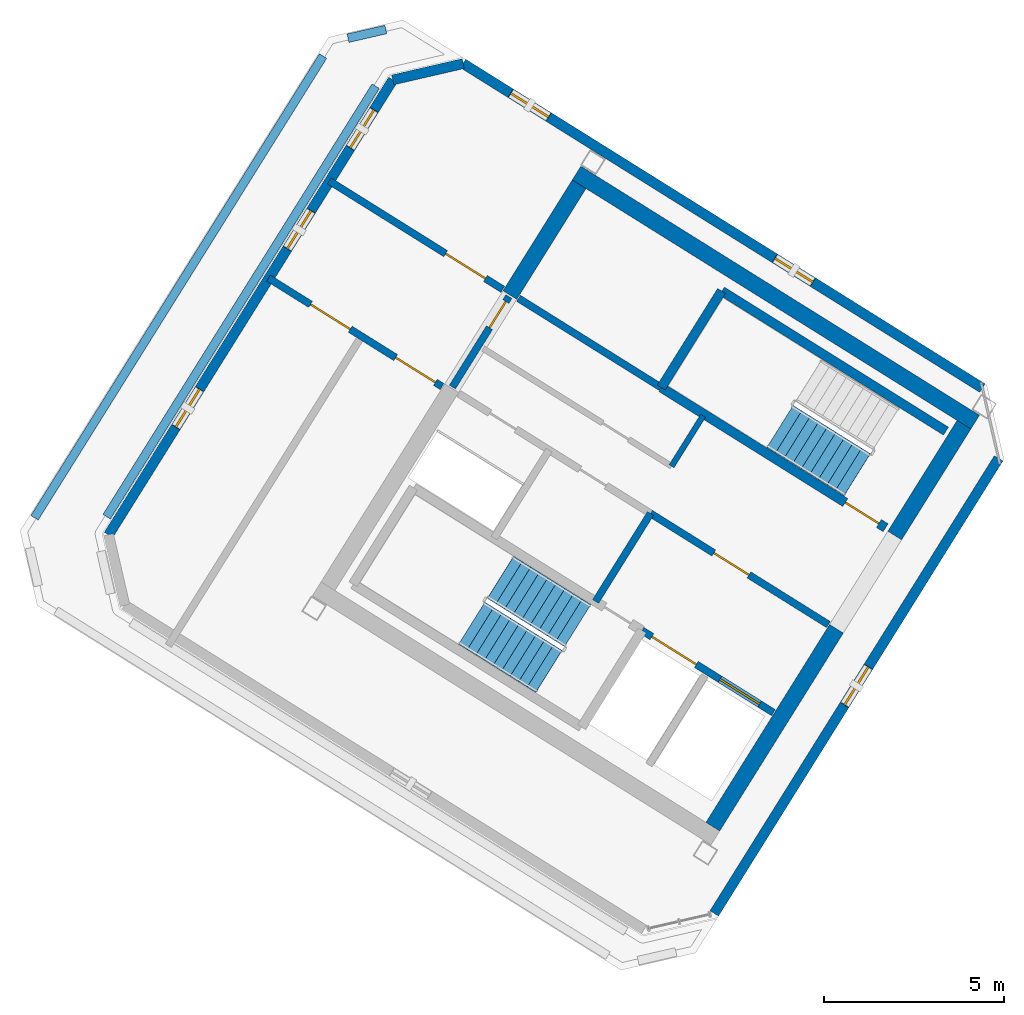
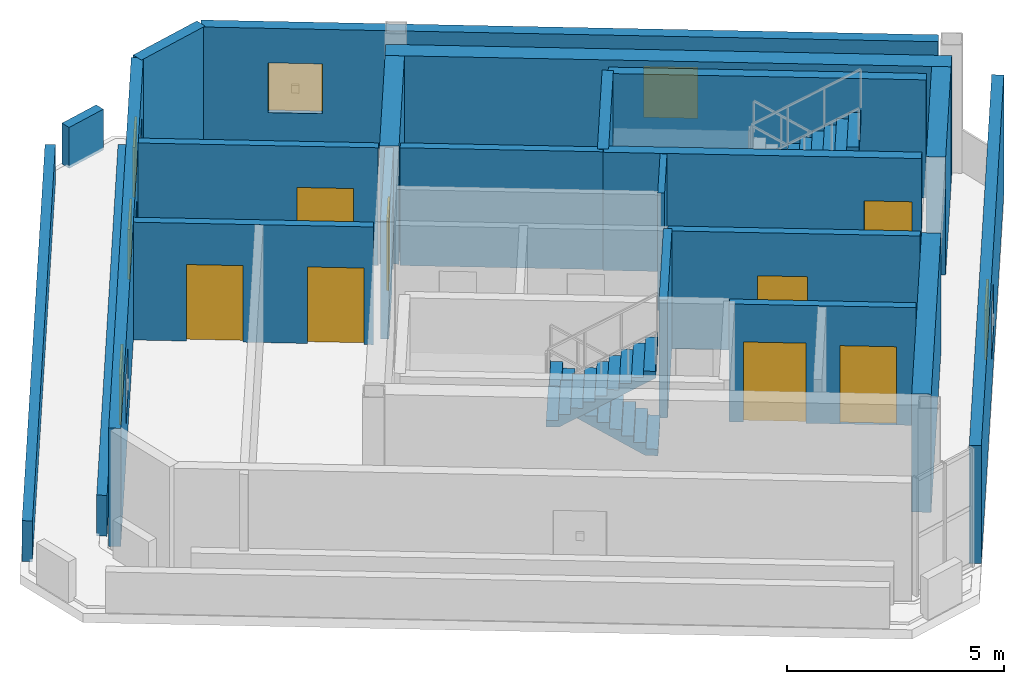
# One storey, part 4 of 7: 22 walls, 8 doors, 6 windows, 3 stair flights, 14 openings, 2 elements without a shape of their own.
"""IFC4 building model written with IfcOpenShell, lengths in metres."""

from ifc_helpers import new_model, si_unit, direction, frame, frame_2d, origin, place, context, subcontext, project, spatial, polyline, rectangle, outline, extrude, source, transform, mapped, material, layer, layer_set, type_object, element, fill, aggregate, save


model = new_model("IFC4")

# Units and contexts
model_context = context("Model", 3, precision=1e-05, world=origin(), true_north=direction((0.0, 1.0)))
body_context = subcontext(model_context, "Body", "Model", "MODEL_VIEW")
ifc_project = project(units=[si_unit("LENGTHUNIT", "METRE"), si_unit("AREAUNIT", "SQUARE_METRE"), si_unit("VOLUMEUNIT", "CUBIC_METRE"), si_unit("PLANEANGLEUNIT", "RADIAN"), si_unit("MASSUNIT", "GRAM", prefix="KILO")], contexts=[model_context])

# Site, building, storey
site_placement = place(None, origin())
site = spatial("IfcSite", under=ifc_project, at=site_placement, CompositionType="ELEMENT")
building_placement = place(site_placement, origin())
building = spatial("IfcBuilding", under=site, at=building_placement, Name="Tlacorven Tower", CompositionType="ELEMENT")
storey_placement = place(building_placement, frame((0.0, 0.0, 309.60009765625)))
storey = spatial("IfcBuildingStorey", under=building, at=storey_placement, Name="L79", CompositionType="ELEMENT", Elevation=309.60009765625)

# Walls
ifc_material_1 = material(Name="Concrete C50/60", Category="concrete")
ifc_layer_1 = layer(ifc_material_1, 0.449951171875)
ifc_layer_set_1 = layer_set([ifc_layer_1], Name="Concrete C50/60")
wall_type_1 = type_object("IfcWallType", Name="WL-COR-450", PredefinedType="SHEAR", material=ifc_layer_set_1)
wall_1_placement = place(storey_placement, frame((40.53076171875, 24.036376953125, 0.0), z_axis=(0.0, 0.0, 1.0), x_axis=(-0.848048787466, 0.529918157905, 0.0)))
element("IfcWall", 1, at=wall_1_placement, inside=storey, type_object=wall_type_1, Name="L79 W core shear wall S1", PredefinedType="SHEAR", context=body_context, shape_type="SweptSolid", body=[
    extrude(rectangle(XDim=13.0400390625, YDim=0.449951171875, at=frame_2d((6.52001953125, 0.0))), origin(), (0.0, 0.0, 1.0), 3.31982421875),
])
wall_2_placement = place(storey_placement, frame((40.220703125, 23.96484375, 0.0), z_axis=(0.0, 0.0, 1.0), x_axis=(-0.529902075036, -0.848058836916, 0.0)))
element("IfcWall", 2, at=wall_2_placement, inside=storey, type_object=wall_type_1, Name="L79 W core end wall E1.1", PredefinedType="SHEAR", context=body_context, shape_type="SweptSolid", body=[
    extrude(rectangle(XDim=3.625, YDim=0.449951171875, at=frame_2d((1.8125, 0.0))), origin(), (0.0, 0.0, 1.0), 3.31982421875),
])
wall_3_placement = place(storey_placement, frame((36.683349609375, 18.30419921875, 0.0), z_axis=(0.0, 0.0, 1.0), x_axis=(-0.529904039071, -0.848057609704, 0.0)))
element("IfcWall", 3, at=wall_3_placement, inside=storey, type_object=wall_type_1, Name="L79 W core end wall E1.2", PredefinedType="SHEAR", context=body_context, shape_type="SweptSolid", body=[
    extrude(rectangle(XDim=6.47509765625, YDim=0.449951171875, at=frame_2d((3.237548828125, 0.0))), origin(), (0.0, 0.0, 1.0), 3.31982421875),
])
wall_4_placement = place(storey_placement, frame((29.543701171875, 30.636474609375, 0.0), z_axis=(0.0, 0.0, 1.0), x_axis=(-0.529902075036, -0.848058836916, 0.0)))
element("IfcWall", 4, at=wall_4_placement, inside=storey, type_object=wall_type_1, Name="L79 W core end wall E2.1", PredefinedType="SHEAR", context=body_context, shape_type="SweptSolid", body=[
    extrude(rectangle(XDim=3.625, YDim=0.449951171875, at=frame_2d((1.8125, 0.0))), origin(), (0.0, 0.0, 1.0), 3.31982421875),
])
ifc_material_2 = material(Name="Gypsum plasterboard acoustic partition", Category="gypsum")
ifc_layer_2 = layer(ifc_material_2, 0.159912109375)
ifc_layer_set_2 = layer_set([ifc_layer_2], Name="Gypsum plasterboard acoustic partition")
wall_type_2 = type_object("IfcWallType", Name="WL-DEM-160", PredefinedType="PARTITIONING", material=ifc_layer_set_2)
wall_5_placement = place(storey_placement, frame((32.982421875, 24.21337890625, 0.0), z_axis=(0.0, 0.0, 1.0), x_axis=(-0.529839334948, -0.84809803628, 0.0)))
element("IfcWall", 5, at=wall_5_placement, inside=storey, type_object=wall_type_2, Name="L79 partition 12", PredefinedType="PARTITIONING", context=body_context, shape_type="SweptSolid", body=[
    extrude(rectangle(XDim=1.650146484375, YDim=0.159912109375, at=frame_2d((0.8251953125, 0.0))), origin(), (0.0, 0.0, 1.0), 3.309814453125),
])

# Wall, opening, window
ifc_material_3 = material(Name="Precast concrete C45/55", Category="concrete")
ifc_layer_3 = layer(ifc_material_3, 0.280029296875)
ifc_layer_set_3 = layer_set([ifc_layer_3], Name="Precast concrete C45/55")
wall_type_3 = type_object("IfcWallType", Name="WL-EXT-280", PredefinedType="STANDARD", material=ifc_layer_set_3)
wall_6_placement = place(storey_placement, frame((41.181640625, 23.03076171875, 0.0), z_axis=(0.0, 0.0, 1.0), x_axis=(-0.529907523796, -0.848055432283, 0.0)))
wall_6 = element("IfcWall", 6, at=wall_6_placement, inside=storey, type_object=wall_type_3, Name="L79 Masonry-Frame Recessed Facade Wall 1", PredefinedType="STANDARD", context=body_context, shape_type="SweptSolid", body=[
    extrude(rectangle(XDim=14.884033203125, YDim=0.280029296875, at=frame_2d((7.44189453125, 0.0))), origin(), (0.0, 0.0, 1.0), 3.31982421875),
])
opening_1_placement = place(wall_6_placement, frame((6.81689453125, 0.0, 0.949951171875)))
opening_1 = element("IfcOpeningElement", 7, at=opening_1_placement, cuts=wall_6, Name="Opening WN20", PredefinedType="OPENING", context=body_context, shape_type="SweptSolid", body=[
    extrude(rectangle(XDim=1.25, YDim=1.39990234375, at=frame_2d((0.625, 0.699951171875))), frame((0.0, 0.14990234375, 0.0), z_axis=(0.0, -1.0, 0.0), x_axis=(1.0, 0.0, 0.0)), (0.0, 0.0, 1.0), 0.300048828125),
])
ifc_material_4 = material(Name="Dark solar low-E double glazing in anodised aluminium frame", Category="aluminium")
window_type = type_object("IfcWindowType", Name="WN-CRN-1250X1500", PartitioningType="SINGLE_PANEL", PredefinedType="WINDOW", material=ifc_material_4)
shared_shape_1 = source(origin(), body_context, "Body", "SweptSolid", [
    extrude(rectangle(XDim=1.25, YDim=1.39990234375, at=frame_2d((0.625, 0.699951171875))), frame((0.0, 0.030029296875, 0.0), z_axis=(0.0, -1.0, 0.0), x_axis=(1.0, 0.0, 0.0)), (0.0, 0.0, 1.0), 0.06005859375),
])
window_1_placement = place(opening_1_placement, origin())
window_1 = element("IfcWindow", 8, at=window_1_placement, inside=storey, type_object=window_type, Name="L79 Acoustic Plant Facade Window 1.1", OverallHeight=1.39990234375, OverallWidth=1.25, PartitioningType="SINGLE_PANEL", PredefinedType="WINDOW", context=body_context, shape_type="MappedRepresentation", body=[
    mapped(shared_shape_1, transform((0.0, 0.0, 0.0), scale=1.0)),
])
fill(opening_1, window_1)

# Wall, openings, windows
wall_7_placement = place(storey_placement, frame((16.486083984375, 20.911376953125, 0.0), z_axis=(0.0, 0.0, 1.0), x_axis=(0.52991489513, 0.848050826259, 0.0)))
wall_7 = element("IfcWall", 9, at=wall_7_placement, inside=storey, type_object=wall_type_3, Name="L79 Masonry-Frame Recessed Facade Wall 4", PredefinedType="STANDARD", context=body_context, shape_type="SweptSolid", body=[
    extrude(rectangle(XDim=14.884033203125, YDim=0.280029296875, at=frame_2d((7.44189453125, 0.0))), origin(), (0.0, 0.0, 1.0), 3.31982421875),
])
opening_2_placement = place(wall_7_placement, frame((3.52099609375, 0.0, 0.949951171875)))
opening_2 = element("IfcOpeningElement", 10, at=opening_2_placement, cuts=wall_7, Name="Opening WN20", PredefinedType="OPENING", context=body_context, shape_type="SweptSolid", body=[
    extrude(rectangle(XDim=1.25, YDim=1.39990234375, at=frame_2d((0.625, 0.699951171875))), frame((0.0, 0.14990234375, 0.0), z_axis=(0.0, -1.0, 0.0), x_axis=(1.0, 0.0, 0.0)), (0.0, 0.0, 1.0), 0.300048828125),
])
opening_3_placement = place(wall_7_placement, frame((9.35693359375, 0.0, 0.949951171875)))
opening_3 = element("IfcOpeningElement", 11, at=opening_3_placement, cuts=wall_7, Name="Opening WN20", PredefinedType="OPENING", context=body_context, shape_type="SweptSolid", body=[
    extrude(rectangle(XDim=1.25, YDim=1.39990234375, at=frame_2d((0.625, 0.699951171875))), frame((0.0, 0.14990234375, 0.0), z_axis=(0.0, -1.0, 0.0), x_axis=(1.0, 0.0, 0.0)), (0.0, 0.0, 1.0), 0.300048828125),
])
opening_4_placement = place(wall_7_placement, frame((12.653076171875, 0.0, 0.949951171875)))
opening_4 = element("IfcOpeningElement", 12, at=opening_4_placement, cuts=wall_7, Name="Opening WN20", PredefinedType="OPENING", context=body_context, shape_type="SweptSolid", body=[
    extrude(rectangle(XDim=1.25, YDim=1.39990234375, at=frame_2d((0.625, 0.699951171875))), frame((0.0, 0.14990234375, 0.0), z_axis=(0.0, -1.0, 0.0), x_axis=(1.0, 0.0, 0.0)), (0.0, 0.0, 1.0), 0.300048828125),
])
window_2_placement = place(opening_2_placement, origin())
window_2 = element("IfcWindow", 13, at=window_2_placement, inside=storey, type_object=window_type, Name="L79 Acoustic Plant Facade Window 4.1", OverallHeight=1.39990234375, OverallWidth=1.25, PartitioningType="SINGLE_PANEL", PredefinedType="WINDOW", context=body_context, shape_type="MappedRepresentation", body=[
    mapped(shared_shape_1, transform((0.0, 0.0, 0.0), scale=1.0)),
])
fill(opening_2, window_2)
window_3_placement = place(opening_3_placement, origin())
window_3 = element("IfcWindow", 14, at=window_3_placement, inside=storey, type_object=window_type, Name="L79 Acoustic Plant Facade Window 4.2", OverallHeight=1.39990234375, OverallWidth=1.25, PartitioningType="SINGLE_PANEL", PredefinedType="WINDOW", context=body_context, shape_type="MappedRepresentation", body=[
    mapped(shared_shape_1, transform((0.0, 0.0, 0.0), scale=1.0)),
])
fill(opening_3, window_3)
window_4_placement = place(opening_4_placement, origin())
window_4 = element("IfcWindow", 15, at=window_4_placement, inside=storey, type_object=window_type, Name="L79 Acoustic Plant Facade Window 4.3", OverallHeight=1.39990234375, OverallWidth=1.25, PartitioningType="SINGLE_PANEL", PredefinedType="WINDOW", context=body_context, shape_type="MappedRepresentation", body=[
    mapped(shared_shape_1, transform((0.0, 0.0, 0.0), scale=1.0)),
])
fill(opening_4, window_4)

# Wall
wall_8_placement = place(storey_placement, frame((24.373291015625, 33.53369140625, 0.0), z_axis=(0.0, 0.0, 1.0), x_axis=(0.974366569301, 0.224966194411, 0.0)))
element("IfcWall", 16, at=wall_8_placement, inside=storey, type_object=wall_type_3, Name="L79 Masonry-Frame Recessed Facade Wall 5", PredefinedType="STANDARD", context=body_context, shape_type="SweptSolid", body=[
    extrude(rectangle(XDim=2.005615234375, YDim=0.280029296875, at=frame_2d((1.0029296875, 0.0))), origin(), (0.0, 0.0, 1.0), 3.31982421875),
])

# Wall, openings, windows
wall_9_placement = place(storey_placement, frame((26.327392578125, 33.98486328125, 0.0), z_axis=(0.0, 0.0, 1.0), x_axis=(0.848042717617, -0.529927871598, 0.0)))
wall_9 = element("IfcWall", 17, at=wall_9_placement, inside=storey, type_object=wall_type_3, Name="L79 Masonry-Frame Recessed Facade Wall 6", PredefinedType="STANDARD", context=body_context, shape_type="SweptSolid", body=[
    extrude(rectangle(XDim=16.98388671875, YDim=0.280029296875, at=frame_2d((8.491943359375, 0.0))), origin(), (0.0, 0.0, 1.0), 3.31982421875),
])
opening_5_placement = place(wall_9_placement, frame((1.551025390625, 0.0, 0.949951171875)))
opening_5 = element("IfcOpeningElement", 18, at=opening_5_placement, cuts=wall_9, Name="Opening WN20", PredefinedType="OPENING", context=body_context, shape_type="SweptSolid", body=[
    extrude(rectangle(XDim=1.25, YDim=1.39990234375, at=frame_2d((0.625, 0.699951171875))), frame((0.0, 0.14990234375, 0.0), z_axis=(0.0, -1.0, 0.0), x_axis=(1.0, 0.0, 0.0)), (0.0, 0.0, 1.0), 0.300048828125),
])
opening_6_placement = place(wall_9_placement, frame((10.193115234375, 0.0, 0.949951171875)))
opening_6 = element("IfcOpeningElement", 19, at=opening_6_placement, cuts=wall_9, Name="Opening WN20", PredefinedType="OPENING", context=body_context, shape_type="SweptSolid", body=[
    extrude(rectangle(XDim=1.25, YDim=1.39990234375, at=frame_2d((0.625, 0.699951171875))), frame((0.0, 0.14990234375, 0.0), z_axis=(0.0, -1.0, 0.0), x_axis=(1.0, 0.0, 0.0)), (0.0, 0.0, 1.0), 0.300048828125),
])
window_5_placement = place(opening_5_placement, origin())
window_5 = element("IfcWindow", 20, at=window_5_placement, inside=storey, type_object=window_type, Name="L79 Acoustic Plant Facade Window 6.1", OverallHeight=1.39990234375, OverallWidth=1.25, PartitioningType="SINGLE_PANEL", PredefinedType="WINDOW", context=body_context, shape_type="MappedRepresentation", body=[
    mapped(shared_shape_1, transform((0.0, 0.0, 0.0), scale=1.0)),
])
fill(opening_5, window_5)
window_6_placement = place(opening_6_placement, origin())
window_6 = element("IfcWindow", 21, at=window_6_placement, inside=storey, type_object=window_type, Name="L79 Acoustic Plant Facade Window 6.2", OverallHeight=1.39990234375, OverallWidth=1.25, PartitioningType="SINGLE_PANEL", PredefinedType="WINDOW", context=body_context, shape_type="MappedRepresentation", body=[
    mapped(shared_shape_1, transform((0.0, 0.0, 0.0), scale=1.0)),
])
fill(opening_6, window_6)

# Walls
ifc_layer_4 = layer(ifc_material_3, 0.239990234375)
ifc_layer_set_4 = layer_set([ifc_layer_4], Name="Precast concrete C45/55")
wall_type_4 = type_object("IfcWallType", Name="WL-PAR-240", PredefinedType="PARAPET", material=ifc_layer_set_4)
wall_10_placement = place(storey_placement, frame((14.43505859375, 21.38427734375, 0.0), z_axis=(0.0, 0.0, 1.0), x_axis=(0.529913222643, 0.848051871331, 0.0)))
element("IfcWall", 22, at=wall_10_placement, inside=storey, type_object=wall_type_4, Name="L79 Stepped Crown Terrace Parapet 1 4", PredefinedType="PARAPET", context=body_context, shape_type="SweptSolid", body=[
    extrude(rectangle(XDim=15.10546875, YDim=0.239990234375, at=frame_2d((7.552734375, 0.0))), origin(), (0.0, 0.0, 1.0), 1.14990234375),
])
wall_11_placement = place(storey_placement, frame((23.1318359375, 34.688232421875, 0.0), z_axis=(0.0, 0.0, 1.0), x_axis=(0.974383553348, 0.224892620968, 0.0)))
element("IfcWall", 23, at=wall_11_placement, inside=storey, type_object=wall_type_4, Name="L79 Stepped Crown Terrace Parapet 1 5", PredefinedType="PARAPET", context=body_context, shape_type="SweptSolid", body=[
    extrude(rectangle(XDim=1.076904296875, YDim=0.239990234375, at=frame_2d((0.53857421875, 0.0))), origin(), (0.0, 0.0, 1.0), 1.14990234375),
])
wall_12_placement = place(storey_placement, frame((23.8994140625, 33.360107421875, 0.0), z_axis=(0.0, 0.0, 1.0), x_axis=(-0.529922604627, -0.848046008837, 0.0)))
element("IfcWall", 24, at=wall_12_placement, inside=storey, type_object=wall_type_4, Name="L79 Stepped Crown Terrace Parapet 1 6", PredefinedType="PARAPET", context=body_context, shape_type="SweptSolid", body=[
    extrude(rectangle(XDim=14.087158203125, YDim=0.239990234375, at=frame_2d((7.04345703125, 0.0))), origin(), (0.0, 0.0, 1.0), 1.14990234375),
])

# Wall, openings, doors
ifc_material_5 = material(Name="Concrete C40/50", Category="concrete")
ifc_layer_5 = layer(ifc_material_5, 0.199951171875)
ifc_layer_set_5 = layer_set([ifc_layer_5], Name="Concrete C40/50")
wall_type_5 = type_object("IfcWallType", Name="WL-SHF-200", PredefinedType="STANDARD", material=ifc_layer_set_5)
wall_13_placement = place(storey_placement, frame((34.93310546875, 15.978271484375, 0.0), z_axis=(0.0, 0.0, 1.0), x_axis=(-0.848055739377, 0.529907032327, 0.0)))
wall_13 = element("IfcWall", 25, at=wall_13_placement, inside=storey, type_object=wall_type_5, Name="L79 Core W Firefighting Lift Shaft Front Wall", PredefinedType="STANDARD", context=body_context, shape_type="SweptSolid", body=[
    extrude(rectangle(XDim=4.298095703125, YDim=0.199951171875, at=frame_2d((2.14892578125, 0.0))), origin(), (0.0, 0.0, 1.0), 3.309814453125),
])
opening_7_placement = place(wall_13_placement, frame((0.447998046875, 0.0, 0.0)))
opening_7 = element("IfcOpeningElement", 26, at=opening_7_placement, cuts=wall_13, Name="Opening LD03", PredefinedType="OPENING", context=body_context, shape_type="SweptSolid", body=[
    extrude(rectangle(XDim=1.300048828125, YDim=2.199951171875, at=frame_2d((0.64990234375, 1.10009765625))), frame((0.0, 0.10986328125, 0.0), z_axis=(0.0, -1.0, 0.0), x_axis=(1.0, 0.0, 0.0)), (0.0, 0.0, 1.0), 0.219970703125),
])
opening_8_placement = place(wall_13_placement, frame((2.52294921875, 0.0, 0.0)))
opening_8 = element("IfcOpeningElement", 27, at=opening_8_placement, cuts=wall_13, Name="Opening LD04", PredefinedType="OPENING", context=body_context, shape_type="SweptSolid", body=[
    extrude(rectangle(XDim=1.449951171875, YDim=2.25, at=frame_2d((0.72509765625, 1.125))), frame((0.0, 0.10986328125, 0.0), z_axis=(0.0, -1.0, 0.0), x_axis=(1.0, 0.0, 0.0)), (0.0, 0.0, 1.0), 0.219970703125),
])
ifc_material_6 = material(Name="Fire-rated steel door assembly", Category="steel")
door_type_1 = type_object("IfcDoorType", Name="DR-LFT-SLID-1300", OperationType="DOUBLE_DOOR_SLIDING", PredefinedType="DOOR", material=ifc_material_6)
shared_shape_2 = source(origin(), body_context, "Body", "SweptSolid", [
    extrude(rectangle(XDim=1.300048828125, YDim=2.199951171875, at=frame_2d((0.64990234375, 1.10009765625))), frame((0.0, 0.02490234375, 0.0), z_axis=(0.0, -1.0, 0.0), x_axis=(1.0, 0.0, 0.0)), (0.0, 0.0, 1.0), 0.050048828125),
])
door_1_placement = place(opening_7_placement, origin())
door_1 = element("IfcDoor", 28, at=door_1_placement, inside=storey, type_object=door_type_1, Name="L79 Lift FFL-W1 Sliding Landing Door", OperationType="DOUBLE_DOOR_SLIDING", OverallHeight=2.199951171875, OverallWidth=1.300048828125, PredefinedType="DOOR", context=body_context, shape_type="MappedRepresentation", body=[
    mapped(shared_shape_2, transform((0.0, 0.0, 0.0), scale=1.0)),
])
fill(opening_7, door_1)
door_type_2 = type_object("IfcDoorType", Name="DR-LFT-SLID-1450", OperationType="DOUBLE_DOOR_SLIDING", PredefinedType="DOOR", material=ifc_material_6)
shared_shape_3 = source(origin(), body_context, "Body", "SweptSolid", [
    extrude(rectangle(XDim=1.449951171875, YDim=2.25, at=frame_2d((0.72509765625, 1.125))), frame((0.0, 0.02490234375, 0.0), z_axis=(0.0, -1.0, 0.0), x_axis=(1.0, 0.0, 0.0)), (0.0, 0.0, 1.0), 0.050048828125),
])
door_2_placement = place(opening_8_placement, origin())
door_2 = element("IfcDoor", 29, at=door_2_placement, inside=storey, type_object=door_type_2, Name="L79 Lift SVL-W1 Sliding Landing Door", OperationType="DOUBLE_DOOR_SLIDING", OverallHeight=2.25, OverallWidth=1.449951171875, PredefinedType="DOOR", context=body_context, shape_type="MappedRepresentation", body=[
    mapped(shared_shape_3, transform((0.0, 0.0, 0.0), scale=1.0)),
])
fill(opening_8, door_2)

# Wall, opening, door
wall_14_placement = place(storey_placement, frame((36.459228515625, 18.420654296875, 0.0), z_axis=(0.0, 0.0, 1.0), x_axis=(-0.848059591691, 0.529900867089, 0.0)))
wall_14 = element("IfcWall", 30, at=wall_14_placement, inside=storey, type_object=wall_type_5, Name="L79 Core W Smoke Lobby Wall", PredefinedType="STANDARD", context=body_context, shape_type="SweptSolid", body=[
    extrude(rectangle(XDim=5.818115234375, YDim=0.199951171875, at=frame_2d((2.9091796875, 0.0))), origin(), (0.0, 0.0, 1.0), 3.309814453125),
])
opening_9_placement = place(wall_14_placement, frame((2.597900390625, 0.0, 0.0)))
opening_9 = element("IfcOpeningElement", 31, at=opening_9_placement, cuts=wall_14, Name="Opening D09", PredefinedType="OPENING", context=body_context, shape_type="SweptSolid", body=[
    extrude(rectangle(XDim=1.14990234375, YDim=2.10009765625, at=frame_2d((0.574951171875, 1.050048828125))), frame((0.0, 0.10986328125, 0.0), z_axis=(0.0, -1.0, 0.0), x_axis=(1.0, 0.0, 0.0)), (0.0, 0.0, 1.0), 0.219970703125),
])
door_type_3 = type_object("IfcDoorType", Name="DR-FFL-FD60-1150", OperationType="NOTDEFINED", PredefinedType="DOOR", material=ifc_material_6)
shared_shape_4 = source(origin(), body_context, "Body", "SweptSolid", [
    extrude(rectangle(XDim=1.14990234375, YDim=2.10009765625, at=frame_2d((0.574951171875, 1.050048828125))), frame((0.0, 0.02490234375, 0.0), z_axis=(0.0, -1.0, 0.0), x_axis=(1.0, 0.0, 0.0)), (0.0, 0.0, 1.0), 0.050048828125),
])
door_3_placement = place(opening_9_placement, origin())
door_3 = element("IfcDoor", 32, at=door_3_placement, inside=storey, type_object=door_type_3, Name="L79 Firefighting Lobby W Fire Door", OperationType="SINGLE_SWING_RIGHT", OverallHeight=2.10009765625, OverallWidth=1.14990234375, PredefinedType="DOOR", context=body_context, shape_type="MappedRepresentation", body=[
    mapped(shared_shape_4, transform((0.0, 0.0, 0.0), scale=1.0)),
])
fill(opening_9, door_3)

# Walls
wall_15_placement = place(storey_placement, frame((31.82177734375, 24.99755859375, 0.0), z_axis=(0.0, 0.0, 1.0), x_axis=(-0.848054125777, 0.529909614701, 0.0)))
element("IfcWall", 33, at=wall_15_placement, inside=storey, type_object=wall_type_5, Name="L79 Core W South Lift Shaft Wall", PredefinedType="STANDARD", context=body_context, shape_type="SweptSolid", body=[
    extrude(rectangle(XDim=4.66796875, YDim=0.199951171875, at=frame_2d((2.333984375, 0.0))), origin(), (0.0, 0.0, 1.0), 3.309814453125),
])
wall_16_placement = place(storey_placement, frame((31.525146484375, 21.503662109375, 0.0), z_axis=(0.0, 0.0, 1.0), x_axis=(-0.529907497854, -0.848055448493, 0.0)))
element("IfcWall", 34, at=wall_16_placement, inside=storey, type_object=wall_type_5, Name="L79 partition 14", PredefinedType="STANDARD", context=body_context, shape_type="SweptSolid", body=[
    extrude(rectangle(XDim=2.8798828125, YDim=0.199951171875, at=frame_2d((1.43994140625, 0.0))), origin(), (0.0, 0.0, 1.0), 3.309814453125),
])

# Wall, opening, door
wall_17_placement = place(storey_placement, frame((27.59619140625, 27.52001953125, 0.0), z_axis=(0.0, 0.0, 1.0), x_axis=(-0.529865479138, -0.848081702443, 0.0)))
wall_17 = element("IfcWall", 35, at=wall_17_placement, inside=storey, type_object=wall_type_5, Name="L79 partition 17", PredefinedType="STANDARD", context=body_context, shape_type="SweptSolid", body=[
    extrude(rectangle(XDim=2.9599609375, YDim=0.199951171875, at=frame_2d((1.47998046875, 0.0))), origin(), (0.0, 0.0, 1.0), 3.309814453125),
])
opening_10_placement = place(wall_17_placement, frame((0.159912109375, 0.0, 0.0)))
opening_10 = element("IfcOpeningElement", 36, at=opening_10_placement, cuts=wall_17, Name="Opening D19", PredefinedType="OPENING", context=body_context, shape_type="SweptSolid", body=[
    extrude(rectangle(XDim=0.860107421875, YDim=2.050048828125, at=frame_2d((0.43017578125, 1.02490234375))), frame((0.0, 0.10986328125, 0.0), z_axis=(0.0, -1.0, 0.0), x_axis=(1.0, 0.0, 0.0)), (0.0, 0.0, 1.0), 0.219970703125),
])
door_type_4 = type_object("IfcDoorType", Name="DR-RSR-FD60-0860", OperationType="NOTDEFINED", PredefinedType="DOOR", material=ifc_material_6)
shared_shape_5 = source(origin(), body_context, "Body", "SweptSolid", [
    extrude(rectangle(XDim=0.860107421875, YDim=2.050048828125, at=frame_2d((0.43017578125, 1.02490234375))), frame((0.0, 0.02490234375, 0.0), z_axis=(0.0, -1.0, 0.0), x_axis=(1.0, 0.0, 0.0)), (0.0, 0.0, 1.0), 0.050048828125),
])
door_4_placement = place(opening_10_placement, origin())
door_4 = element("IfcDoor", 37, at=door_4_placement, inside=storey, type_object=door_type_4, Name="L79 door 009", OperationType="SINGLE_SWING_LEFT", OverallHeight=2.050048828125, OverallWidth=0.860107421875, PredefinedType="DOOR", context=body_context, shape_type="MappedRepresentation", body=[
    mapped(shared_shape_5, transform((0.0, 0.0, 0.0), scale=1.0)),
])
fill(opening_10, door_4)

# Wall, openings, doors
wall_18_placement = place(storey_placement, frame((25.73974609375, 25.024658203125, 0.0), z_axis=(0.0, 0.0, 1.0), x_axis=(-0.848053858841, 0.529910041898, 0.0)))
wall_18 = element("IfcWall", 38, at=wall_18_placement, inside=storey, type_object=wall_type_5, Name="L79 partition 18", PredefinedType="STANDARD", context=body_context, shape_type="SweptSolid", body=[
    extrude(rectangle(XDim=5.677978515625, YDim=0.199951171875, at=frame_2d((2.8388671875, 0.0))), origin(), (0.0, 0.0, 1.0), 3.309814453125),
])
opening_11_placement = place(wall_18_placement, frame((0.218017578125, 0.0, 0.0)))
opening_11 = element("IfcOpeningElement", 39, at=opening_11_placement, cuts=wall_18, Name="Opening D18", PredefinedType="OPENING", context=body_context, shape_type="SweptSolid", body=[
    extrude(rectangle(XDim=1.300048828125, YDim=2.14990234375, at=frame_2d((0.64990234375, 1.074951171875))), frame((0.0, 0.10986328125, 0.0), z_axis=(0.0, -1.0, 0.0), x_axis=(1.0, 0.0, 0.0)), (0.0, 0.0, 1.0), 0.219970703125),
])
opening_12_placement = place(wall_18_placement, frame((3.0029296875, 0.0, 0.0)))
opening_12 = element("IfcOpeningElement", 40, at=opening_12_placement, cuts=wall_18, Name="Opening D18", PredefinedType="OPENING", context=body_context, shape_type="SweptSolid", body=[
    extrude(rectangle(XDim=1.300048828125, YDim=2.14990234375, at=frame_2d((0.64990234375, 1.074951171875))), frame((0.0, 0.10986328125, 0.0), z_axis=(0.0, -1.0, 0.0), x_axis=(1.0, 0.0, 0.0)), (0.0, 0.0, 1.0), 0.219970703125),
])
door_type_5 = type_object("IfcDoorType", Name="DR-MEP-FD60-1300", OperationType="DOUBLE_DOOR_SINGLE_SWING", PredefinedType="DOOR", material=ifc_material_6)
shared_shape_6 = source(origin(), body_context, "Body", "SweptSolid", [
    extrude(rectangle(XDim=1.300048828125, YDim=2.14990234375, at=frame_2d((0.64990234375, 1.074951171875))), frame((0.0, 0.02490234375, 0.0), z_axis=(0.0, -1.0, 0.0), x_axis=(1.0, 0.0, 0.0)), (0.0, 0.0, 1.0), 0.050048828125),
])
door_5_placement = place(opening_11_placement, origin())
door_5 = element("IfcDoor", 41, at=door_5_placement, inside=storey, type_object=door_type_5, Name="L79 door 010", OperationType="DOUBLE_DOOR_SINGLE_SWING", OverallHeight=2.14990234375, OverallWidth=1.300048828125, PredefinedType="DOOR", context=body_context, shape_type="MappedRepresentation", body=[
    mapped(shared_shape_6, transform((0.0, 0.0, 0.0), scale=1.0)),
])
fill(opening_11, door_5)
door_6_placement = place(opening_12_placement, origin())
door_6 = element("IfcDoor", 42, at=door_6_placement, inside=storey, type_object=door_type_5, Name="L79 door 011", OperationType="DOUBLE_DOOR_SINGLE_SWING", OverallHeight=2.14990234375, OverallWidth=1.300048828125, PredefinedType="DOOR", context=body_context, shape_type="MappedRepresentation", body=[
    mapped(shared_shape_6, transform((0.0, 0.0, 0.0), scale=1.0)),
])
fill(opening_12, door_6)

# Wall, opening, door
wall_19_placement = place(storey_placement, frame((27.425048828125, 27.721435546875, 0.0), z_axis=(0.0, 0.0, 1.0), x_axis=(-0.848053858841, 0.529910041898, 0.0)))
wall_19 = element("IfcWall", 43, at=wall_19_placement, inside=storey, type_object=wall_type_5, Name="L79 partition 20", PredefinedType="STANDARD", context=body_context, shape_type="SweptSolid", body=[
    extrude(rectangle(XDim=5.677978515625, YDim=0.199951171875, at=frame_2d((2.8388671875, 0.0))), origin(), (0.0, 0.0, 1.0), 3.309814453125),
])
opening_13_placement = place(wall_19_placement, frame((0.568115234375, 0.0, 0.0)))
opening_13 = element("IfcOpeningElement", 44, at=opening_13_placement, cuts=wall_19, Name="Opening D18", PredefinedType="OPENING", context=body_context, shape_type="SweptSolid", body=[
    extrude(rectangle(XDim=1.300048828125, YDim=2.14990234375, at=frame_2d((0.64990234375, 1.074951171875))), frame((0.0, 0.10986328125, 0.0), z_axis=(0.0, -1.0, 0.0), x_axis=(1.0, 0.0, 0.0)), (0.0, 0.0, 1.0), 0.219970703125),
])
door_7_placement = place(opening_13_placement, frame((1.300048828125, 0.0, 0.0), z_axis=(0.0, 0.0, 1.0), x_axis=(-1.0, 0.0, 0.0)))
door_7 = element("IfcDoor", 45, at=door_7_placement, inside=storey, type_object=door_type_5, Name="L79 door 012", OperationType="DOUBLE_DOOR_SINGLE_SWING", OverallHeight=2.14990234375, OverallWidth=1.300048828125, PredefinedType="DOOR", context=body_context, shape_type="MappedRepresentation", body=[
    mapped(shared_shape_6, transform((0.0, 0.0, 0.0), scale=1.0)),
])
fill(opening_13, door_7)

# Wall
ifc_layer_6 = layer(ifc_material_1, 0.260009765625)
ifc_layer_set_6 = layer_set([ifc_layer_6], Name="Concrete C50/60")
wall_type_6 = type_object("IfcWallType", Name="WL-STW-260", PredefinedType="SHEAR", material=ifc_layer_set_6)
wall_20_placement = place(storey_placement, frame((39.720947265625, 23.787841796875, 0.0), z_axis=(0.0, 0.0, 1.0), x_axis=(-0.848054434086, 0.529909121291, 0.0)))
element("IfcWall", 46, at=wall_20_placement, inside=storey, type_object=wall_type_6, Name="L79 Stair W2 Far Shear Wall", PredefinedType="SHEAR", context=body_context, shape_type="SweptSolid", body=[
    extrude(rectangle(XDim=7.330078125, YDim=0.260009765625, at=frame_2d((3.6650390625, 0.0))), origin(), (0.0, 0.0, 1.0), 3.31982421875),
])

# Wall, opening, door
wall_21_placement = place(storey_placement, frame((38.04638671875, 21.10791015625, 0.0), z_axis=(0.0, 0.0, 1.0), x_axis=(-0.848054434086, 0.529909121291, 0.0)))
wall_21 = element("IfcWall", 47, at=wall_21_placement, inside=storey, type_object=wall_type_6, Name="L79 Stair W2 Lobby Shear Wall", PredefinedType="SHEAR", context=body_context, shape_type="SweptSolid", body=[
    extrude(rectangle(XDim=7.330078125, YDim=0.260009765625, at=frame_2d((3.6650390625, 0.0))), origin(), (0.0, 0.0, 1.0), 3.31982421875),
])
opening_14_placement = place(wall_21_placement, frame((0.219970703125, 0.0, 0.0)))
opening_14 = element("IfcOpeningElement", 48, at=opening_14_placement, cuts=wall_21, Name="Opening D07", PredefinedType="OPENING", context=body_context, shape_type="SweptSolid", body=[
    extrude(rectangle(XDim=1.10009765625, YDim=2.10009765625, at=frame_2d((0.550048828125, 1.050048828125))), frame((0.0, 0.14013671875, 0.0), z_axis=(0.0, -1.0, 0.0), x_axis=(1.0, 0.0, 0.0)), (0.0, 0.0, 1.0), 0.280029296875),
])
door_type_6 = type_object("IfcDoorType", Name="DR-STR-FD90-1100", OperationType="NOTDEFINED", PredefinedType="DOOR", material=ifc_material_6)
shared_shape_7 = source(origin(), body_context, "Body", "SweptSolid", [
    extrude(rectangle(XDim=1.10009765625, YDim=2.10009765625, at=frame_2d((0.550048828125, 1.050048828125))), frame((0.0, 0.02490234375, 0.0), z_axis=(0.0, -1.0, 0.0), x_axis=(1.0, 0.0, 0.0)), (0.0, 0.0, 1.0), 0.050048828125),
])
door_8_placement = place(opening_14_placement, origin())
door_8 = element("IfcDoor", 49, at=door_8_placement, inside=storey, type_object=door_type_6, Name="L79 Exit Stair W2 Fire Door", OperationType="SINGLE_SWING_LEFT", OverallHeight=2.10009765625, OverallWidth=1.10009765625, PredefinedType="DOOR", context=body_context, shape_type="MappedRepresentation", body=[
    mapped(shared_shape_7, transform((0.0, 0.0, 0.0), scale=1.0)),
])
fill(opening_14, door_8)

# Wall
wall_22_placement = place(storey_placement, frame((33.496337890625, 27.677490234375, 0.0), z_axis=(0.0, 0.0, 1.0), x_axis=(-0.529908658664, -0.84805472316, 0.0)))
element("IfcWall", 50, at=wall_22_placement, inside=storey, type_object=wall_type_6, Name="L79 Stair W2 East Shear Wall", PredefinedType="SHEAR", context=body_context, shape_type="SweptSolid", body=[
    extrude(rectangle(XDim=3.16015625, YDim=0.260009765625, at=frame_2d((1.580078125, 0.0))), origin(), (0.0, 0.0, 1.0), 3.31982421875),
])

# Stair, stair flights
stair_type = type_object("IfcStairType", Name="ST-CORE-DLG", PredefinedType="HALF_TURN_STAIR", material=ifc_material_5)
stair_1_placement = place(storey_placement, origin())
stair_1 = element("IfcStair", 51, at=stair_1_placement, inside=storey, type_object=stair_type, Name="L79 Protected Exit Stair West 1", PredefinedType="HALF_TURN_STAIR")
stair_flight_type = type_object("IfcStairFlightType", Name="SFL-RC-1380", PredefinedType="STRAIGHT", material=ifc_material_5)
shared_shape_8 = source(origin(), body_context, "Body", "SweptSolid", [
    extrude(outline(polyline([(-0.0029296875, -0.0029296875), (-0.0029296875, 0.179931640625), (0.280029296875, 0.179931640625), (0.280029296875, 0.360107421875), (0.56005859375, 0.360107421875), (0.56005859375, 0.5400390625), (0.840087890625, 0.5400390625), (0.840087890625, 0.719970703125), (1.1201171875, 0.719970703125), (1.1201171875, 0.89990234375), (1.39990234375, 0.89990234375), (1.39990234375, 1.080078125), (1.679931640625, 1.080078125), (1.679931640625, 1.260009765625), (1.9599609375, 1.260009765625), (1.9599609375, 1.43994140625), (2.239990234375, 1.43994140625), (2.239990234375, 1.6201171875), (2.52001953125, 1.6201171875), (2.52001953125, 1.800048828125), (2.52294921875, 1.800048828125), (2.52294921875, 1.429931640625), (2.52001953125, 1.429931640625), (0.295654296875, 0.0), (0.295654296875, -0.0029296875), (-0.0029296875, -0.0029296875)])), frame((0.0, 0.68994140625, 0.0), z_axis=(0.0, -1.0, 0.0), x_axis=(1.0, 0.0, 0.0)), (0.0, 0.0, 1.0), 1.3798828125),
])
stair_flight_1_placement = place(storey_placement, frame((29.499755859375, 18.39453125, 0.0), z_axis=(0.0, 0.0, 1.0), x_axis=(-0.848048096156, 0.529919264233, 0.0)))
stair_flight_1 = element("IfcStairFlight", 52, at=stair_flight_1_placement, type_object=stair_flight_type, Name="ST-W1 flight 1", NumberOfRisers=10, NumberOfTreads=9, PredefinedType="STRAIGHT", RiserHeight=0.18, TreadLength=0.28, context=body_context, shape_type="MappedRepresentation", body=[
    mapped(shared_shape_8, transform((0.0, 0.0, 0.0), scale=1.0)),
])
stair_flight_2_placement = place(storey_placement, frame((26.56787109375, 18.4580078125, 1.7998046875), z_axis=(0.0, 0.0, 1.0), x_axis=(0.848048096156, -0.529919264233, 0.0)))
stair_flight_2 = element("IfcStairFlight", 53, at=stair_flight_2_placement, type_object=stair_flight_type, Name="ST-W1 flight 2", NumberOfRisers=10, NumberOfTreads=9, PredefinedType="STRAIGHT", RiserHeight=0.18, TreadLength=0.28, context=body_context, shape_type="MappedRepresentation", body=[
    mapped(shared_shape_8, transform((0.0, 0.0, 0.0), scale=1.0)),
])
aggregate(stair_1, [stair_flight_1, stair_flight_2])

# Stair, stair flight
stair_2_placement = place(storey_placement, origin())
stair_2 = element("IfcStair", 54, at=stair_2_placement, inside=storey, type_object=stair_type, Name="L79 Protected Exit Stair West 2", PredefinedType="HALF_TURN_STAIR")
stair_flight_3_placement = place(storey_placement, frame((35.119384765625, 23.91552734375, 1.7998046875), z_axis=(0.0, 0.0, 1.0), x_axis=(0.848048096156, -0.529919264233, 0.0)))
stair_flight_3 = element("IfcStairFlight", 55, at=stair_flight_3_placement, type_object=stair_flight_type, Name="ST-W2 flight 2", NumberOfRisers=10, NumberOfTreads=9, PredefinedType="STRAIGHT", RiserHeight=0.18, TreadLength=0.28, context=body_context, shape_type="MappedRepresentation", body=[
    mapped(shared_shape_8, transform((0.0, 0.0, 0.0), scale=1.0)),
])
aggregate(stair_2, [stair_flight_3])

save(model, "model.ifc")
